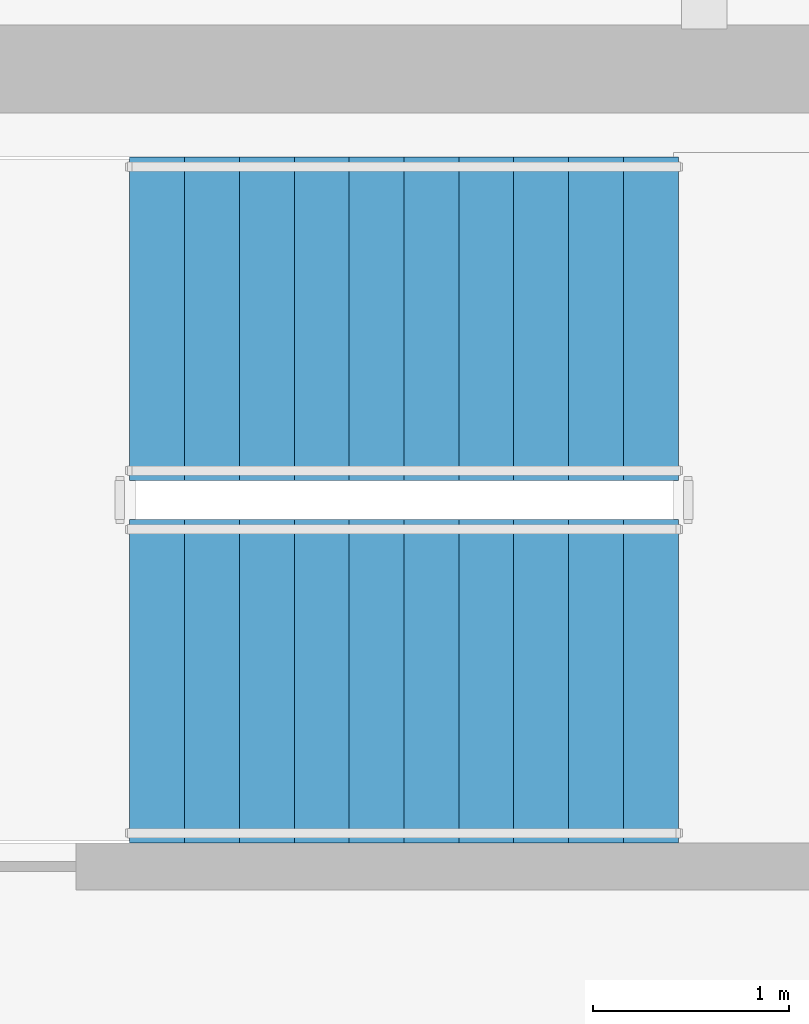
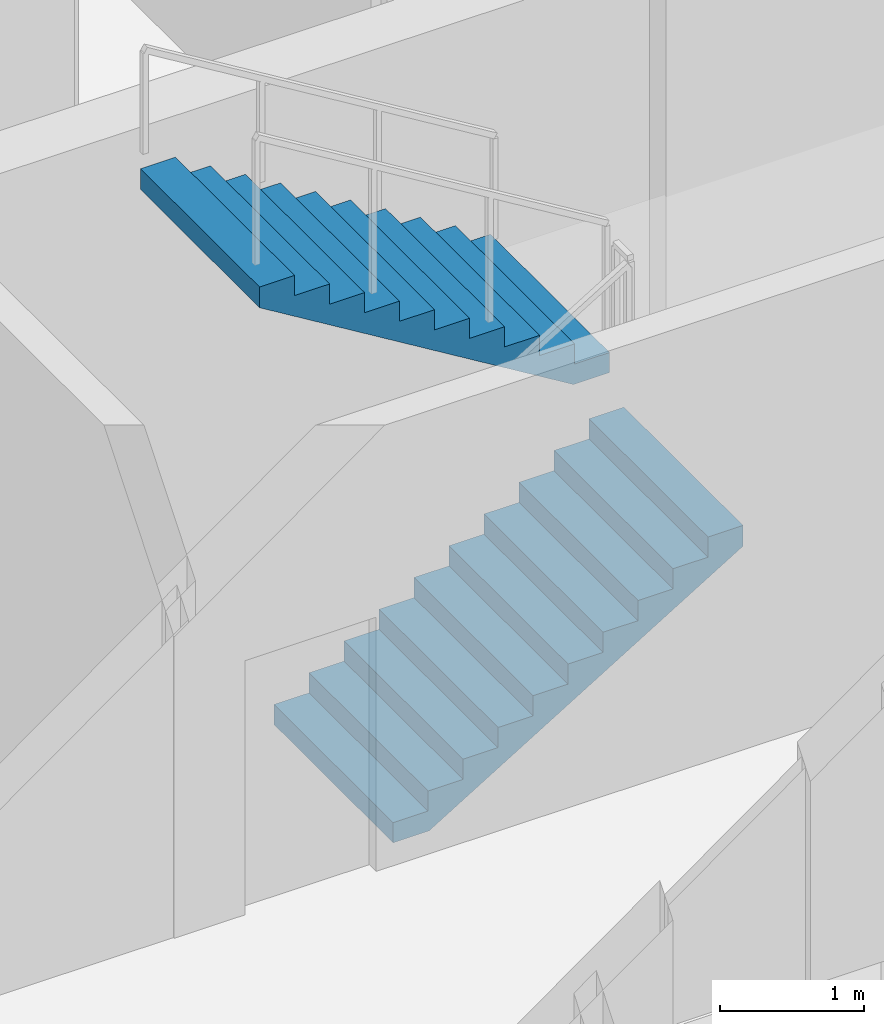
# One storey, part 20 of 23: 2 stair flights, 1 element without a shape of its own.
"""IFC4 building model written with IfcOpenShell, lengths in metres."""

from ifc_helpers import new_model, si_unit, direction, frame, origin, place, context, subcontext, project, spatial, polyline, outline, extrude, material, type_object, element, aggregate, save


model = new_model("IFC4")

# Units and contexts
model_context = context("Model", 3, precision=1e-05, world=origin(), true_north=direction((0.0, 1.0)))
body_context = subcontext(model_context, "Body", "Model", "MODEL_VIEW")
ifc_project = project(units=[si_unit("LENGTHUNIT", "METRE"), si_unit("AREAUNIT", "SQUARE_METRE"), si_unit("VOLUMEUNIT", "CUBIC_METRE"), si_unit("PLANEANGLEUNIT", "RADIAN"), si_unit("MASSUNIT", "GRAM", prefix="KILO")], contexts=[model_context])

# Site, building, storey
site_placement = place(None, origin())
site = spatial("IfcSite", under=ifc_project, at=site_placement, CompositionType="ELEMENT")
building_placement = place(site_placement, origin())
building = spatial("IfcBuilding", under=site, at=building_placement, Name="Haldenkirk Collegiate Tower", CompositionType="ELEMENT")
storey_placement = place(building_placement, frame((0.0, 0.0, 336.449951171875)))
storey = spatial("IfcBuildingStorey", under=building, at=storey_placement, Name="L85", CompositionType="ELEMENT", Elevation=336.449951171875)

# Stair, stair flights
ifc_material = material(Name="Concrete f'c 40 MPa", Category="concrete")
stair_type = type_object("IfcStairType", Name="STR-DOGLEG-1650", PredefinedType="HALF_TURN_STAIR", material=ifc_material)
stair_placement = place(storey_placement, origin())
stair = element("IfcStair", 1, at=stair_placement, inside=storey, type_object=stair_type, Name="L85 Core Exit Stair ST-3", PredefinedType="HALF_TURN_STAIR")
stair_flight_type = type_object("IfcStairFlightType", Name="STF-FLIGHT-1650", PredefinedType="STRAIGHT", material=ifc_material)
stair_flight_1_placement = place(storey_placement, frame((33.64990234375, 30.875, 0.0), z_axis=(0.0, 0.0, 1.0), x_axis=(1.0, 0.0, 0.0)))
stair_flight_1 = element("IfcStairFlight", 2, at=stair_flight_1_placement, type_object=stair_flight_type, Name="ST-3 flight 1", NumberOfRisers=11, NumberOfTreads=10, PredefinedType="STRAIGHT", RiserHeight=0.170454545, TreadLength=0.28, context=body_context, shape_type="SweptSolid", body=[
    extrude(outline(polyline([(0.0, 0.0), (0.0, 0.17041015625), (0.280029296875, 0.17041015625), (0.280029296875, 0.3408203125), (0.56005859375, 0.3408203125), (0.56005859375, 0.511474609375), (0.840087890625, 0.511474609375), (0.840087890625, 0.681884765625), (1.1201171875, 0.681884765625), (1.1201171875, 0.852294921875), (1.39990234375, 0.852294921875), (1.39990234375, 1.022705078125), (1.679931640625, 1.022705078125), (1.679931640625, 1.193115234375), (1.9599609375, 1.193115234375), (1.9599609375, 1.363525390625), (2.239990234375, 1.363525390625), (2.239990234375, 1.5341796875), (2.52001953125, 1.5341796875), (2.52001953125, 1.70458984375), (2.800048828125, 1.70458984375), (2.800048828125, 1.875), (2.800048828125, 1.529052734375), (0.288330078125, 0.0), (0.0, 0.0)])), frame((0.0, 0.824951171875, 0.0), z_axis=(0.0, -1.0, 0.0), x_axis=(1.0, 0.0, 0.0)), (0.0, 0.0, 1.0), 1.64990234375),
])
stair_flight_2_placement = place(storey_placement, frame((36.449951171875, 32.72509765625, 1.875), z_axis=(0.0, 0.0, 1.0), x_axis=(-1.0, 0.0, 0.0)))
stair_flight_2 = element("IfcStairFlight", 3, at=stair_flight_2_placement, type_object=stair_flight_type, Name="ST-3 flight 2", NumberOfRisers=11, NumberOfTreads=10, PredefinedType="STRAIGHT", RiserHeight=0.170454545, TreadLength=0.28, context=body_context, shape_type="SweptSolid", body=[
    extrude(outline(polyline([(0.0, 0.0), (0.0, 0.17041015625), (0.280029296875, 0.17041015625), (0.280029296875, 0.3408203125), (0.56005859375, 0.3408203125), (0.56005859375, 0.511474609375), (0.840087890625, 0.511474609375), (0.840087890625, 0.681884765625), (1.1201171875, 0.681884765625), (1.1201171875, 0.852294921875), (1.39990234375, 0.852294921875), (1.39990234375, 1.022705078125), (1.679931640625, 1.022705078125), (1.679931640625, 1.193115234375), (1.9599609375, 1.193115234375), (1.9599609375, 1.363525390625), (2.239990234375, 1.363525390625), (2.239990234375, 1.5341796875), (2.52001953125, 1.5341796875), (2.52001953125, 1.70458984375), (2.800048828125, 1.70458984375), (2.800048828125, 1.875), (2.800048828125, 1.529052734375), (0.288330078125, 0.0), (0.0, 0.0)])), frame((0.0, 0.824951171875, 0.0), z_axis=(0.0, -1.0, 0.0), x_axis=(1.0, 0.0, 0.0)), (0.0, 0.0, 1.0), 1.64990234375),
])
aggregate(stair, [stair_flight_1, stair_flight_2])

save(model, "model.ifc")
